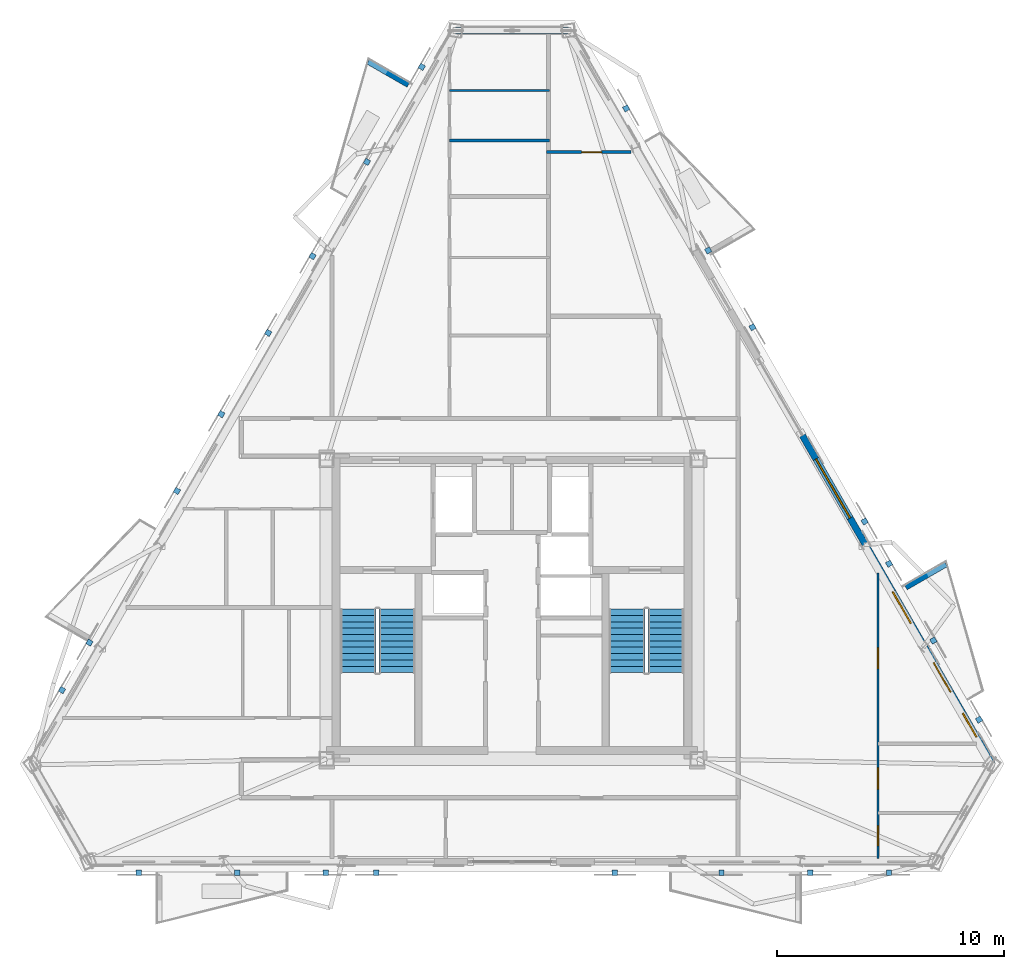
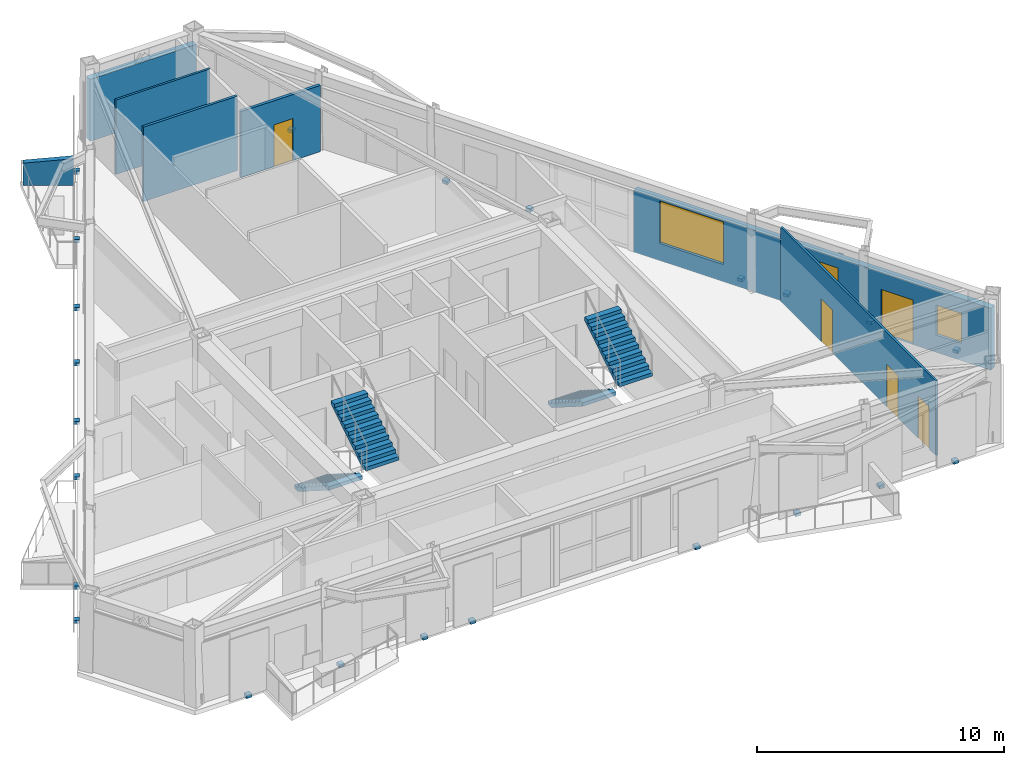
# One storey, part 11 of 15: 23 discrete accessories, 8 walls, 5 doors, 4 stair flights, 3 windows, 8 openings, 2 elements without a shape of their own.
"""IFC4 building model written with IfcOpenShell, lengths in metres."""

import ifcopenshell
import ifcopenshell.guid

model = None  # the IFC model being written
_history = None  # IfcOwnerHistory: only IFC2X3 demands one
_inside = {}  # id of a spatial element -> (the spatial element, [elements in it])
_under = {}  # id of a project, library or spatial element -> (it, [spatial elements below it])
_declared = {}  # id of a project -> (the project, [libraries it declares])
_typed = {}  # id of a type object -> (the type object, [elements of that type])
_made_of = {}  # id of a material, layer set ... -> (it, [elements and type objects made of it])


def new_model(schema):
    """Start an empty IFC model of exactly this schema.

    Asked for "IFC4X3", IfcOpenShell would pick the latest addendum, in which some entities
    have other attributes; the version numbers below select the first issue.
    IFC2X3 requires an IfcOwnerHistory on every rooted entity: one is made here for all.
    """
    global model, _history
    if schema == "IFC4X3":
        model = ifcopenshell.file(schema_version=(4, 3, 0, 0))
    else:
        model = ifcopenshell.file(schema=schema)
    _inside.clear()
    _under.clear()
    _declared.clear()
    _typed.clear()
    _made_of.clear()
    _history = None
    if model.schema == "IFC2X3":
        org = make("IfcOrganization", Name="unknown")
        user = make(
            "IfcPersonAndOrganization",
            ThePerson=make("IfcPerson", FamilyName="unknown"),
            TheOrganization=org,
        )
        app = make(
            "IfcApplication",
            ApplicationDeveloper=org,
            Version="unknown",
            ApplicationFullName="unknown",
            ApplicationIdentifier="unknown",
        )
        _history = make(
            "IfcOwnerHistory",
            OwningUser=user,
            OwningApplication=app,
            ChangeAction="ADDED",
            CreationDate=0,
        )
    return model


def make(cls, **values):
    """One entity of the class cls with the attributes given. An attribute that is None is left unset."""
    return model.create_entity(
        cls, **{name: value for name, value in values.items() if value is not None}
    )


def rooted(cls, **values):
    """An entity with a GlobalId (a new one), such as an element, a storey or a relation."""
    return make(cls, GlobalId=ifcopenshell.guid.new(), OwnerHistory=_history, **values)


def si_unit(unit_type, name, prefix=None):
    """IfcSIUnit, for example si_unit("LENGTHUNIT", "METRE", prefix="MILLI")."""
    return make("IfcSIUnit", UnitType=unit_type, Prefix=prefix, Name=name)


def assignment(units):
    """IfcUnitAssignment: the units of a project."""
    return None if units is None else make("IfcUnitAssignment", Units=units)


def point(xyz):
    """IfcCartesianPoint."""
    return None if xyz is None else make("IfcCartesianPoint", Coordinates=xyz)


def direction(xyz):
    """IfcDirection."""
    return None if xyz is None else make("IfcDirection", DirectionRatios=xyz)


def frame(location, z_axis=None, x_axis=None):
    """IfcAxis2Placement3D, a coordinate frame: its origin and axes. An axis left out is left unset."""
    return make(
        "IfcAxis2Placement3D",
        Location=point(location),
        Axis=direction(z_axis),
        RefDirection=direction(x_axis),
    )


def frame_2d(location, x_axis=None):
    """IfcAxis2Placement2D, a coordinate frame in the plane: its origin and x axis."""
    return make(
        "IfcAxis2Placement2D", Location=point(location), RefDirection=direction(x_axis)
    )


def origin():
    """The frame at (0, 0, 0) with its axes left unset."""
    return frame((0.0, 0.0, 0.0))


def origin_2d():
    """The frame at (0, 0) in the plane with its x axis left unset."""
    return frame_2d((0.0, 0.0))


def place(relative_to, where):
    """IfcLocalPlacement: puts the frame where relative to a parent placement (None: the world)."""
    return make(
        "IfcLocalPlacement", PlacementRelTo=relative_to, RelativePlacement=where
    )


def context(
    kind, dimensions, precision=None, world=None, true_north=None, identifier=None
):
    """IfcGeometricRepresentationContext, for example the 3D "Model" context."""
    return make(
        "IfcGeometricRepresentationContext",
        ContextIdentifier=identifier,
        ContextType=kind,
        CoordinateSpaceDimension=dimensions,
        Precision=precision,
        WorldCoordinateSystem=world,
        TrueNorth=true_north,
    )


def subcontext(parent, identifier, kind, view, scale=None):
    """IfcGeometricRepresentationSubContext, for example "Body" below "Model"."""
    return make(
        "IfcGeometricRepresentationSubContext",
        ContextIdentifier=identifier,
        ContextType=kind,
        ParentContext=parent,
        TargetScale=scale,
        TargetView=view,
    )


def project(units=None, contexts=None):
    """IfcProject with its units and contexts."""
    return rooted(
        "IfcProject",
        Name="project",
        RepresentationContexts=contexts,
        UnitsInContext=assignment(units),
    )


def spatial(cls, under=None, at=None, **own):
    """A site, building, storey or space (cls), placed at a placement, below another one or the project."""
    s = rooted(cls, ObjectPlacement=at, **own)
    if under is not None:
        _under.setdefault(under.id(), (under, []))[1].append(s)
    return s


def polyline(points):
    """IfcPolyline through the points."""
    return make("IfcPolyline", Points=[point(p) for p in points])


def profile(cls, at=None, kind="AREA", **sizes):
    """A parametric profile (cls). Its sizes go by their IFC names, for example OverallWidth=200.0."""
    return make(cls, ProfileType=kind, Position=at, **sizes)


def rectangle(**sizes):
    """IfcRectangleProfileDef."""
    return profile("IfcRectangleProfileDef", **sizes)


def outline(outer, holes=None, kind="AREA"):
    """IfcArbitraryClosedProfileDef: a profile drawn as a closed curve; with holes, ...WithVoids."""
    if holes is None:
        return make("IfcArbitraryClosedProfileDef", ProfileType=kind, OuterCurve=outer)
    return make(
        "IfcArbitraryProfileDefWithVoids",
        ProfileType=kind,
        OuterCurve=outer,
        InnerCurves=holes,
    )


def extrude(swept, where, along, depth):
    """IfcExtrudedAreaSolid: the profile swept, set in the frame where, extruded along a direction by depth."""
    return make(
        "IfcExtrudedAreaSolid",
        SweptArea=swept,
        Position=where,
        ExtrudedDirection=direction(along),
        Depth=depth,
    )


def shape(context_of_items, identifier, shape_type, items):
    """IfcShapeRepresentation: the items that make up one representation, for example the "Body"."""
    return make(
        "IfcShapeRepresentation",
        ContextOfItems=context_of_items,
        RepresentationIdentifier=identifier,
        RepresentationType=shape_type,
        Items=items,
    )


def material(Name=None, Category=None):
    """IfcMaterial."""
    return make("IfcMaterial", Name=Name, Category=Category)


def layer(
    of_material, thickness, ventilated=None, Name=None, Category=None, Priority=None
):
    """IfcMaterialLayer: one layer of a wall or slab, of a material (None: an air gap)."""
    return make(
        "IfcMaterialLayer",
        Material=of_material,
        LayerThickness=thickness,
        IsVentilated=ventilated,
        Name=Name,
        Category=Category,
        Priority=Priority,
    )


def layer_set(layers, Name=None):
    """IfcMaterialLayerSet."""
    return make("IfcMaterialLayerSet", MaterialLayers=layers, LayerSetName=Name)


def made_of(thing, what):
    """Note that an element or type object is made of a material, layer set ...; save() writes the relation."""
    if what is not None:
        _made_of.setdefault(what.id(), (what, []))[1].append(thing)
    return thing


def type_object(cls, material=None, **own):
    """A type object (cls), such as IfcWallType, which elements share."""
    return made_of(rooted(cls, **own), material)


def element(
    cls,
    number,
    at=None,
    inside=None,
    cuts=None,
    type_object=None,
    material=None,
    context=None,
    identifier="Body",
    shape_type=None,
    held_by="IfcProductDefinitionShape",
    body=None,
    shapes=None,
    **own,
):
    """One element of the class cls, such as IfcWall. Its Tag is "e" and its number.

    at: its placement. inside: the storey or other place that contains it. cuts: it is an
    opening in that element (IfcRelVoidsElement). A single representation is given by context,
    identifier, shape_type and body (its items); several are given by shapes. held_by: the class
    of the entity that holds the representations. save() writes the other relations.
    """
    e = rooted(cls, Tag="e%d" % number, ObjectPlacement=at, **own)
    if body is not None:
        shapes = [shape(context, identifier, shape_type, body)]
    if shapes is not None:
        e.Representation = make(held_by, Representations=shapes)
    if inside is not None:
        _inside.setdefault(inside.id(), (inside, []))[1].append(e)
    if cuts is not None:
        rooted(
            "IfcRelVoidsElement", RelatingBuildingElement=cuts, RelatedOpeningElement=e
        )
    if type_object is not None:
        _typed.setdefault(type_object.id(), (type_object, []))[1].append(e)
    return made_of(e, material)


def fill(opening, filler):
    """IfcRelFillsElement: the door or window that sits in an opening."""
    return rooted(
        "IfcRelFillsElement",
        RelatingOpeningElement=opening,
        RelatedBuildingElement=filler,
    )


def aggregate(whole, parts):
    """IfcRelAggregates: a whole, such as a stair, and the parts it consists of."""
    return rooted("IfcRelAggregates", RelatingObject=whole, RelatedObjects=parts)


def save(model, path):
    """Write the relations noted so far, then the file.

    IfcRelAggregates (storeys below a building ...), IfcRelContainedInSpatialStructure (elements
    in a storey), IfcRelDefinesByType, IfcRelAssociatesMaterial and IfcRelDeclares: one each for
    every whole, place, type object, material and project.
    """
    for whole, parts in _under.values():
        aggregate(whole, parts)
    for where, things in _inside.values():
        rooted(
            "IfcRelContainedInSpatialStructure",
            RelatedElements=things,
            RelatingStructure=where,
        )
    for kind, things in _typed.values():
        rooted("IfcRelDefinesByType", RelatedObjects=things, RelatingType=kind)
    for what, things in _made_of.values():
        rooted("IfcRelAssociatesMaterial", RelatedObjects=things, RelatingMaterial=what)
    for by, libraries in _declared.values():
        rooted("IfcRelDeclares", RelatingContext=by, RelatedDefinitions=libraries)
    model.write(path)


model = new_model("IFC4")

# Units and contexts
model_context = context("Model", 3, precision=1e-05, world=origin(), true_north=direction((0.0, 1.0)))
body_context = subcontext(model_context, "Body", "Model", "MODEL_VIEW")
ifc_project = project(units=[si_unit("LENGTHUNIT", "METRE"), si_unit("AREAUNIT", "SQUARE_METRE"), si_unit("VOLUMEUNIT", "CUBIC_METRE"), si_unit("PLANEANGLEUNIT", "RADIAN"), si_unit("MASSUNIT", "GRAM", prefix="KILO")], contexts=[model_context])

# Site, building, storey
site_placement = place(None, origin())
site = spatial("IfcSite", under=ifc_project, at=site_placement, CompositionType="ELEMENT")
building_placement = place(site_placement, origin())
building = spatial("IfcBuilding", under=site, at=building_placement, Name="Oramaril Tower", CompositionType="ELEMENT")
storey_placement = place(building_placement, frame((0.0, 0.0, 265.5)))
storey = spatial("IfcBuildingStorey", under=building, at=storey_placement, Name="L70", CompositionType="ELEMENT", Elevation=265.5)

# Wall, openings, door, windows
ifc_material_1 = material(Name="Warm Cream Limestone", Category="masonry")
ifc_layer_1 = layer(ifc_material_1, 0.2900390625)
ifc_layer_set_1 = layer_set([ifc_layer_1], Name="WT-EXT29")
wall_type_1 = type_object("IfcWallType", Name="WT-EXT29", PredefinedType="SOLIDWALL", material=ifc_layer_set_1)
wall_1_placement = place(storey_placement, frame((58.61181640625, 10.78369140625, 0.0), z_axis=(0.0, 0.0, 1.0), x_axis=(-0.499994109833, 0.866028804447, 0.0)))
wall_1 = element("IfcWall", 1, at=wall_1_placement, inside=storey, type_object=wall_type_1, Name="L70 Tower Limestone Facade Wall 4L", PredefinedType="SOLIDWALL", context=body_context, shape_type="SweptSolid", body=[
    extrude(rectangle(XDim=16.674072265625, YDim=0.2900390625, at=frame_2d((8.3369140625, 0.0))), origin(), (0.0, 0.0, 1.0), 3.05810546875),
])
opening_1_placement = place(wall_1_placement, frame((3.639404296875, 0.0, 0.0)))
opening_1 = element("IfcOpeningElement", 2, at=opening_1_placement, cuts=wall_1, Name="Opening D-L70-BAL-NE1", PredefinedType="OPENING", context=body_context, shape_type="SweptSolid", body=[
    extrude(rectangle(XDim=1.5, YDim=2.199951171875, at=frame_2d((0.75, 1.10009765625))), frame((0.0, 0.14501953125, 0.0), z_axis=(0.0, -1.0, 0.0), x_axis=(1.0, 0.0, 0.0)), (0.0, 0.0, 1.0), 0.2900390625),
])
opening_2_placement = place(wall_1_placement, frame((7.131591796875, 0.0, 0.85009765625)))
opening_2 = element("IfcOpeningElement", 3, at=opening_2_placement, cuts=wall_1, Name="Opening WN-07", PredefinedType="OPENING", context=body_context, shape_type="SweptSolid", body=[
    extrude(rectangle(XDim=1.60009765625, YDim=1.699951171875, at=frame_2d((0.800048828125, 0.85009765625))), frame((0.0, 0.14501953125, 0.0), z_axis=(0.0, -1.0, 0.0), x_axis=(1.0, 0.0, 0.0)), (0.0, 0.0, 1.0), 0.2900390625),
])
opening_3_placement = place(wall_1_placement, frame((12.478759765625, 0.0, 0.85009765625)))
opening_3 = element("IfcOpeningElement", 4, at=opening_3_placement, cuts=wall_1, Name="Opening WN-10", PredefinedType="OPENING", context=body_context, shape_type="SweptSolid", body=[
    extrude(rectangle(XDim=3.0, YDim=2.097900390625, at=frame_2d((1.5, 1.048828125))), frame((0.0, 0.14501953125, 0.0), z_axis=(0.0, -1.0, 0.0), x_axis=(1.0, 0.0, 0.0)), (0.0, 0.0, 1.0), 0.2900390625),
])
opening_4_placement = place(wall_1_placement, frame((1.36181640625, 0.0, 0.85009765625)))
opening_4 = element("IfcOpeningElement", 5, at=opening_4_placement, cuts=wall_1, Name="Opening WN-09", PredefinedType="OPENING", context=body_context, shape_type="SweptSolid", body=[
    extrude(rectangle(XDim=1.199951171875, YDim=1.47998046875, at=frame_2d((0.60009765625, 0.739990234375))), frame((0.0, 0.14501953125, 0.0), z_axis=(0.0, -1.0, 0.0), x_axis=(1.0, 0.0, 0.0)), (0.0, 0.0, 1.0), 0.2900390625),
])
ifc_material_2 = material(Name="Anodised Aluminium 6063-T6", Category="aluminium")
door_type_1 = type_object("IfcDoorType", Name="DT-BAL", OperationType="NOTDEFINED", PredefinedType="DOOR", material=ifc_material_2)
door_1_placement = place(opening_1_placement, origin())
door_1 = element("IfcDoor", 6, at=door_1_placement, inside=storey, type_object=door_type_1, Name="L70 Balcony Glazed Door L70-BAL-NE1", OperationType="SINGLE_SWING_LEFT", OverallHeight=2.199951171875, OverallWidth=1.5, PredefinedType="DOOR", context=body_context, shape_type="SweptSolid", body=[
    extrude(rectangle(XDim=1.5, YDim=2.199951171875, at=frame_2d((0.75, 1.10009765625))), frame((0.0, 0.02490234375, 0.0), z_axis=(0.0, -1.0, 0.0), x_axis=(1.0, 0.0, 0.0)), (0.0, 0.0, 1.0), 0.050048828125),
])
fill(opening_1, door_1)
ifc_material_3 = material(Name="Coastal Low-E Insulated Glass", Category="glass")
window_type_1 = type_object("IfcWindowType", Name="WNT-07", PartitioningType="SINGLE_PANEL", PredefinedType="WINDOW", material=ifc_material_3)
window_1_placement = place(opening_2_placement, origin())
window_1 = element("IfcWindow", 7, at=window_1_placement, inside=storey, type_object=window_type_1, Name="L70 Chicago Bay Window WN-07", OverallHeight=1.699951171875, OverallWidth=1.60009765625, PartitioningType="SINGLE_PANEL", PredefinedType="WINDOW", context=body_context, shape_type="SweptSolid", body=[
    extrude(rectangle(XDim=1.60009765625, YDim=1.699951171875, at=frame_2d((0.800048828125, 0.85009765625))), frame((0.0, 0.030029296875, 0.0), z_axis=(0.0, -1.0, 0.0), x_axis=(1.0, 0.0, 0.0)), (0.0, 0.0, 1.0), 0.06005859375),
])
fill(opening_2, window_1)
ifc_material_4 = material(Name="Coastal Low-E Insulated Glass", Category="glass")
window_type_2 = type_object("IfcWindowType", Name="WNT-09", PartitioningType="SINGLE_PANEL", PredefinedType="WINDOW", material=ifc_material_4)
window_2_placement = place(opening_4_placement, origin())
window_2 = element("IfcWindow", 8, at=window_2_placement, inside=storey, type_object=window_type_2, Name="L70 Chicago Bay Window WN-09", OverallHeight=1.47998046875, OverallWidth=1.199951171875, PartitioningType="SINGLE_PANEL", PredefinedType="WINDOW", context=body_context, shape_type="SweptSolid", body=[
    extrude(rectangle(XDim=1.199951171875, YDim=1.47998046875, at=frame_2d((0.60009765625, 0.739990234375))), frame((0.0, 0.030029296875, 0.0), z_axis=(0.0, -1.0, 0.0), x_axis=(1.0, 0.0, 0.0)), (0.0, 0.0, 1.0), 0.06005859375),
])
fill(opening_4, window_2)
ifc_material_5 = material(Name="Coastal Low-E Insulated Glass", Category="glass")
window_type_3 = type_object("IfcWindowType", Name="WNT-10", PartitioningType="SINGLE_PANEL", PredefinedType="WINDOW", material=ifc_material_5)
window_3_placement = place(opening_3_placement, origin())
window_3 = element("IfcWindow", 9, at=window_3_placement, inside=storey, type_object=window_type_3, Name="L70 Chicago Bay Window WN-10", OverallHeight=2.097900390625, OverallWidth=3.0, PartitioningType="SINGLE_PANEL", PredefinedType="WINDOW", context=body_context, shape_type="SweptSolid", body=[
    extrude(rectangle(XDim=3.0, YDim=2.097900390625, at=frame_2d((1.5, 1.048828125))), frame((0.0, 0.030029296875, 0.0), z_axis=(0.0, -1.0, 0.0), x_axis=(1.0, 0.0, 0.0)), (0.0, 0.0, 1.0), 0.06005859375),
])
fill(opening_3, window_3)

# Walls
wall_2_placement = place(storey_placement, frame((39.98779296875, 43.04150390625, 0.0), z_axis=(0.0, 0.0, 1.0), x_axis=(-1.0, 0.0, 0.0)))
element("IfcWall", 10, at=wall_2_placement, inside=storey, type_object=wall_type_1, Name="L70 Tower Limestone Facade Wall 5M", PredefinedType="SOLIDWALL", context=body_context, shape_type="SweptSolid", body=[
    extrude(rectangle(XDim=4.9755859375, YDim=0.2900390625, at=frame_2d((2.48779296875, 0.0))), origin(), (0.0, 0.0, 1.0), 3.05810546875),
])
ifc_material_6 = material(Name="Concrete C40/50", Category="concrete")
ifc_layer_2 = layer(ifc_material_6, 0.22998046875)
ifc_layer_set_2 = layer_set([ifc_layer_2], Name="WT-PRP23")
wall_type_2 = type_object("IfcWallType", Name="WT-PRP23", PredefinedType="PARAPET", material=ifc_layer_set_2)
for number, where, z_axis, x_axis, name in (
    (11, (54.827392578125, 18.5341796875, 0.0), (0.0, 0.0, 1.0), (0.866042246008, 0.499970827278, 0.0), "L70 Trapezoidal Balcony Frame Cheek L70-BAL-NE1-R"),
    (12, (32.937255859375, 40.643310546875, 0.0), (0.0, 0.0, 1.0), (-0.866042246008, 0.499970827278, 0.0), "L70 Trapezoidal Balcony Frame Cheek L70-BAL-NW1-L"),
):
    element("IfcWall", number, at=place(storey_placement, frame(where, z_axis=z_axis, x_axis=x_axis)), inside=storey, type_object=wall_type_2, Name=name, PredefinedType="PARAPET", context=body_context, shape_type="SweptSolid", body=[
        extrude(outline(polyline([(0.0, 0.0), (2.0419921875, 0.0), (2.0419921875, 1.10009765625), (0.0, 1.320068359375), (0.0, 0.0)])), frame((0.0, 0.114990234375, 0.0), z_axis=(0.0, -1.0, 0.0), x_axis=(1.0, 0.0, 0.0)), (0.0, 0.0, 1.0), 0.22998046875),
    ])
ifc_material_7 = material(Name="Acoustic Gypsum Board Partition")
ifc_layer_3 = layer(ifc_material_7, 0.10009765625)
ifc_layer_set_3 = layer_set([ifc_layer_3], Name="WT-PT10")
wall_type_3 = type_object("IfcWallType", Name="WT-PT10", PredefinedType="PARTITIONING", material=ifc_layer_set_3)
wall_3_placement = place(storey_placement, frame((34.75, 40.39990234375, 0.0), z_axis=(0.0, 0.0, 1.0), x_axis=(1.0, 0.0, 0.0)))
element("IfcWall", 13, at=wall_3_placement, inside=storey, type_object=wall_type_3, Name="L70 Interior Partition PT-10", PredefinedType="PARTITIONING", context=body_context, shape_type="SweptSolid", body=[
    extrude(rectangle(XDim=4.39990234375, YDim=0.10009765625, at=frame_2d((2.199951171875, 0.0))), origin(), (0.0, 0.0, 1.0), 3.679931640625),
])

# Wall, openings, doors
wall_4_placement = place(storey_placement, frame((53.60009765625, 6.623779296875, 0.0), z_axis=(0.0, 0.0, 1.0), x_axis=(0.0, 1.0, 0.0)))
wall_4 = element("IfcWall", 14, at=wall_4_placement, inside=storey, type_object=wall_type_3, Name="L70 Interior Partition PT-10", PredefinedType="PARTITIONING", context=body_context, shape_type="SweptSolid", body=[
    extrude(rectangle(XDim=12.54248046875, YDim=0.10009765625, at=frame_2d((6.271240234375, 0.0))), origin(), (0.0, 0.0, 1.0), 3.679931640625),
])
opening_5_placement = place(wall_4_placement, frame((0.54248046875, 0.0, 0.0)))
opening_5 = element("IfcOpeningElement", 15, at=opening_5_placement, cuts=wall_4, Name="Opening D-L70-22", PredefinedType="OPENING", context=body_context, shape_type="SweptSolid", body=[
    extrude(rectangle(XDim=0.8798828125, YDim=2.080078125, at=frame_2d((0.43994140625, 1.0400390625))), frame((0.0, 0.050048828125, 0.0), z_axis=(0.0, -1.0, 0.0), x_axis=(1.0, 0.0, 0.0)), (0.0, 0.0, 1.0), 0.10009765625),
])
opening_6_placement = place(wall_4_placement, frame((3.0439453125, 0.0, 0.0)))
opening_6 = element("IfcOpeningElement", 16, at=opening_6_placement, cuts=wall_4, Name="Opening D-L70-23", PredefinedType="OPENING", context=body_context, shape_type="SweptSolid", body=[
    extrude(rectangle(XDim=0.949951171875, YDim=2.10009765625, at=frame_2d((0.47509765625, 1.050048828125))), frame((0.0, 0.050048828125, 0.0), z_axis=(0.0, -1.0, 0.0), x_axis=(1.0, 0.0, 0.0)), (0.0, 0.0, 1.0), 0.10009765625),
])
opening_7_placement = place(wall_4_placement, frame((8.343994140625, 0.0, 0.0)))
opening_7 = element("IfcOpeningElement", 17, at=opening_7_placement, cuts=wall_4, Name="Opening D-L70-24", PredefinedType="OPENING", context=body_context, shape_type="SweptSolid", body=[
    extrude(rectangle(XDim=0.919921875, YDim=2.1201171875, at=frame_2d((0.4599609375, 1.06005859375))), frame((0.0, 0.050048828125, 0.0), z_axis=(0.0, -1.0, 0.0), x_axis=(1.0, 0.0, 0.0)), (0.0, 0.0, 1.0), 0.10009765625),
])
ifc_material_8 = material(Name="FSC Brazilian Freijo Hardwood", Category="wood")
door_type_2 = type_object("IfcDoorType", Name="DT-BATH", OperationType="NOTDEFINED", PredefinedType="DOOR", material=ifc_material_8)
door_2_placement = place(opening_5_placement, origin())
door_2 = element("IfcDoor", 18, at=door_2_placement, inside=storey, type_object=door_type_2, Name="L70 Flat L70-U4 Bathroom Door D-L70-22", OperationType="SINGLE_SWING_LEFT", OverallHeight=2.080078125, OverallWidth=0.8798828125, PredefinedType="DOOR", context=body_context, shape_type="SweptSolid", body=[
    extrude(rectangle(XDim=0.8798828125, YDim=2.080078125, at=frame_2d((0.43994140625, 1.0400390625))), frame((0.0, 0.02490234375, 0.0), z_axis=(0.0, -1.0, 0.0), x_axis=(1.0, 0.0, 0.0)), (0.0, 0.0, 1.0), 0.050048828125),
])
fill(opening_5, door_2)
ifc_material_9 = material(Name="FSC Brazilian Freijo Hardwood", Category="wood")
door_type_3 = type_object("IfcDoorType", Name="DT-BED", OperationType="NOTDEFINED", PredefinedType="DOOR", material=ifc_material_9)
door_3_placement = place(opening_7_placement, origin())
door_3 = element("IfcDoor", 19, at=door_3_placement, inside=storey, type_object=door_type_3, Name="L70 Flat L70-U4 Master Bedroom Door D-L70-24", OperationType="SINGLE_SWING_LEFT", OverallHeight=2.1201171875, OverallWidth=0.919921875, PredefinedType="DOOR", context=body_context, shape_type="SweptSolid", body=[
    extrude(rectangle(XDim=0.919921875, YDim=2.1201171875, at=frame_2d((0.4599609375, 1.06005859375))), frame((0.0, 0.02490234375, 0.0), z_axis=(0.0, -1.0, 0.0), x_axis=(1.0, 0.0, 0.0)), (0.0, 0.0, 1.0), 0.050048828125),
])
fill(opening_7, door_3)
ifc_material_10 = material(Name="FSC Brazilian Freijo Hardwood", Category="wood")
door_type_4 = type_object("IfcDoorType", Name="DT-STDY", OperationType="NOTDEFINED", PredefinedType="DOOR", material=ifc_material_10)
door_4_placement = place(opening_6_placement, origin())
door_4 = element("IfcDoor", 20, at=door_4_placement, inside=storey, type_object=door_type_4, Name="L70 Flat L70-U4 Kitchen Door D-L70-23", OperationType="SINGLE_SWING_RIGHT", OverallHeight=2.10009765625, OverallWidth=0.949951171875, PredefinedType="DOOR", context=body_context, shape_type="SweptSolid", body=[
    extrude(rectangle(XDim=0.949951171875, YDim=2.10009765625, at=frame_2d((0.47509765625, 1.050048828125))), frame((0.0, 0.02490234375, 0.0), z_axis=(0.0, -1.0, 0.0), x_axis=(1.0, 0.0, 0.0)), (0.0, 0.0, 1.0), 0.050048828125),
])
fill(opening_6, door_4)

# Wall
ifc_material_11 = material(Name="Acoustic Gypsum Board Partition")
ifc_layer_4 = layer(ifc_material_11, 0.1201171875)
ifc_layer_set_4 = layer_set([ifc_layer_4], Name="WT-PT12")
wall_type_4 = type_object("IfcWallType", Name="WT-PT12", PredefinedType="PARTITIONING", material=ifc_layer_set_4)
wall_5_placement = place(storey_placement, frame((34.75, 38.199951171875, 0.0), z_axis=(0.0, 0.0, 1.0), x_axis=(1.0, 0.0, 0.0)))
element("IfcWall", 21, at=wall_5_placement, inside=storey, type_object=wall_type_4, Name="L70 Interior Partition PT-12", PredefinedType="PARTITIONING", context=body_context, shape_type="SweptSolid", body=[
    extrude(rectangle(XDim=4.39990234375, YDim=0.1201171875, at=frame_2d((2.199951171875, 0.0))), origin(), (0.0, 0.0, 1.0), 3.679931640625),
])

# Wall, opening, door
ifc_material_12 = material(Name="Acoustic Gypsum Board Partition")
ifc_layer_5 = layer(ifc_material_12, 0.139892578125)
ifc_layer_set_5 = layer_set([ifc_layer_5], Name="WT-PT14")
wall_type_5 = type_object("IfcWallType", Name="WT-PT14", PredefinedType="PARTITIONING", material=ifc_layer_set_5)
wall_6_placement = place(storey_placement, frame((39.01806640625, 37.68994140625, 0.0), z_axis=(0.0, 0.0, 1.0), x_axis=(1.0, 0.0, 0.0)))
wall_6 = element("IfcWall", 22, at=wall_6_placement, inside=storey, type_object=wall_type_5, Name="L70 Interior Partition PT-14", PredefinedType="PARTITIONING", context=body_context, shape_type="SweptSolid", body=[
    extrude(rectangle(XDim=3.718017578125, YDim=0.139892578125, at=frame_2d((1.85888671875, 0.0))), origin(), (0.0, 0.0, 1.0), 3.26611328125),
])
opening_8_placement = place(wall_6_placement, frame((1.544189453125, 0.0, 0.0)))
opening_8 = element("IfcOpeningElement", 23, at=opening_8_placement, cuts=wall_6, Name="Opening D-L70-13", PredefinedType="OPENING", context=body_context, shape_type="SweptSolid", body=[
    extrude(rectangle(XDim=0.8798828125, YDim=2.080078125, at=frame_2d((0.43994140625, 1.0400390625))), frame((0.0, 0.06982421875, 0.0), z_axis=(0.0, -1.0, 0.0), x_axis=(1.0, 0.0, 0.0)), (0.0, 0.0, 1.0), 0.139892578125),
])
door_5_placement = place(opening_8_placement, origin())
door_5 = element("IfcDoor", 24, at=door_5_placement, inside=storey, type_object=door_type_2, Name="L70 Flat L70-U6 Bathroom Door D-L70-13", OperationType="SINGLE_SWING_RIGHT", OverallHeight=2.080078125, OverallWidth=0.8798828125, PredefinedType="DOOR", context=body_context, shape_type="SweptSolid", body=[
    extrude(rectangle(XDim=0.8798828125, YDim=2.080078125, at=frame_2d((0.43994140625, 1.0400390625))), frame((0.0, 0.02490234375, 0.0), z_axis=(0.0, -1.0, 0.0), x_axis=(1.0, 0.0, 0.0)), (0.0, 0.0, 1.0), 0.050048828125),
])
fill(opening_8, door_5)

# Stair, stair flights
ifc_material_13 = material(Name="Concrete C50/60", Category="concrete")
stair_type = type_object("IfcStairType", Name="STT-DG-3900", PredefinedType="HALF_TURN_STAIR", material=ifc_material_13)
stair_1_placement = place(storey_placement, origin())
stair_1 = element("IfcStair", 25, at=stair_1_placement, inside=storey, type_object=stair_type, Name="L70 Protected PFP Exit Stair ST-1", PredefinedType="HALF_TURN_STAIR")
ifc_material_14 = material(Name="Concrete C50/60", Category="concrete")
stair_flight_type = type_object("IfcStairFlightType", Name="SFT-DG-3900", PredefinedType="STRAIGHT", material=ifc_material_14)
stair_flight_1_placement = place(storey_placement, frame((30.72998046875, 17.590087890625, 0.0), z_axis=(0.0, 0.0, 1.0), x_axis=(0.0, -1.0, 0.0)))
stair_flight_1 = element("IfcStairFlight", 26, at=stair_flight_1_placement, type_object=stair_flight_type, Name="ST-1 flight 1", NumberOfRisers=11, NumberOfTreads=10, PredefinedType="STRAIGHT", RiserHeight=0.177272727, TreadLength=0.28, context=body_context, shape_type="SweptSolid", body=[
    extrude(outline(polyline([(0.0, 0.0), (0.0, 0.17724609375), (0.280029296875, 0.17724609375), (0.280029296875, 0.3544921875), (0.56005859375, 0.3544921875), (0.56005859375, 0.53173828125), (0.840087890625, 0.53173828125), (0.840087890625, 0.708984375), (1.1201171875, 0.708984375), (1.1201171875, 0.886474609375), (1.39990234375, 0.886474609375), (1.39990234375, 1.063720703125), (1.679931640625, 1.063720703125), (1.679931640625, 1.240966796875), (1.9599609375, 1.240966796875), (1.9599609375, 1.418212890625), (2.239990234375, 1.418212890625), (2.239990234375, 1.595458984375), (2.52001953125, 1.595458984375), (2.52001953125, 1.772705078125), (2.800048828125, 1.772705078125), (2.800048828125, 1.949951171875), (2.800048828125, 1.59521484375), (0.2802734375, 0.0), (0.0, 0.0)])), frame((0.0, 0.780029296875, 0.0), z_axis=(0.0, -1.0, 0.0), x_axis=(1.0, 0.0, 0.0)), (0.0, 0.0, 1.0), 1.56005859375),
])
stair_flight_2_placement = place(storey_placement, frame((32.43994140625, 14.7900390625, 1.949951171875), z_axis=(0.0, 0.0, 1.0), x_axis=(0.0, 1.0, 0.0)))
stair_flight_2 = element("IfcStairFlight", 27, at=stair_flight_2_placement, type_object=stair_flight_type, Name="ST-1 flight 2", NumberOfRisers=11, NumberOfTreads=10, PredefinedType="STRAIGHT", RiserHeight=0.177272727, TreadLength=0.28, context=body_context, shape_type="SweptSolid", body=[
    extrude(outline(polyline([(0.0, 0.0), (0.0, 0.17724609375), (0.280029296875, 0.17724609375), (0.280029296875, 0.3544921875), (0.56005859375, 0.3544921875), (0.56005859375, 0.53173828125), (0.840087890625, 0.53173828125), (0.840087890625, 0.708984375), (1.1201171875, 0.708984375), (1.1201171875, 0.886474609375), (1.39990234375, 0.886474609375), (1.39990234375, 1.063720703125), (1.679931640625, 1.063720703125), (1.679931640625, 1.240966796875), (1.9599609375, 1.240966796875), (1.9599609375, 1.418212890625), (2.239990234375, 1.418212890625), (2.239990234375, 1.595458984375), (2.52001953125, 1.595458984375), (2.52001953125, 1.772705078125), (2.800048828125, 1.772705078125), (2.800048828125, 1.949951171875), (2.800048828125, 1.59521484375), (0.2802734375, 0.0), (0.0, 0.0)])), frame((0.0, 0.780029296875, 0.0), z_axis=(0.0, -1.0, 0.0), x_axis=(1.0, 0.0, 0.0)), (0.0, 0.0, 1.0), 1.56005859375),
])
aggregate(stair_1, [stair_flight_1, stair_flight_2])

stair_2_placement = place(storey_placement, origin())
stair_2 = element("IfcStair", 28, at=stair_2_placement, inside=storey, type_object=stair_type, Name="L70 Protected PFP Exit Stair ST-2", PredefinedType="HALF_TURN_STAIR")
stair_flight_3_placement = place(storey_placement, frame((42.56005859375, 17.590087890625, 0.0), z_axis=(0.0, 0.0, 1.0), x_axis=(0.0, -1.0, 0.0)))
stair_flight_3 = element("IfcStairFlight", 29, at=stair_flight_3_placement, type_object=stair_flight_type, Name="ST-2 flight 1", NumberOfRisers=11, NumberOfTreads=10, PredefinedType="STRAIGHT", RiserHeight=0.177272727, TreadLength=0.28, context=body_context, shape_type="SweptSolid", body=[
    extrude(outline(polyline([(0.0, 0.0), (0.0, 0.17724609375), (0.280029296875, 0.17724609375), (0.280029296875, 0.3544921875), (0.56005859375, 0.3544921875), (0.56005859375, 0.53173828125), (0.840087890625, 0.53173828125), (0.840087890625, 0.708984375), (1.1201171875, 0.708984375), (1.1201171875, 0.886474609375), (1.39990234375, 0.886474609375), (1.39990234375, 1.063720703125), (1.679931640625, 1.063720703125), (1.679931640625, 1.240966796875), (1.9599609375, 1.240966796875), (1.9599609375, 1.418212890625), (2.239990234375, 1.418212890625), (2.239990234375, 1.595458984375), (2.52001953125, 1.595458984375), (2.52001953125, 1.772705078125), (2.800048828125, 1.772705078125), (2.800048828125, 1.949951171875), (2.800048828125, 1.59521484375), (0.2802734375, 0.0), (0.0, 0.0)])), frame((0.0, 0.780029296875, 0.0), z_axis=(0.0, -1.0, 0.0), x_axis=(1.0, 0.0, 0.0)), (0.0, 0.0, 1.0), 1.56005859375),
])
stair_flight_4_placement = place(storey_placement, frame((44.27001953125, 14.7900390625, 1.949951171875), z_axis=(0.0, 0.0, 1.0), x_axis=(0.0, 1.0, 0.0)))
stair_flight_4 = element("IfcStairFlight", 30, at=stair_flight_4_placement, type_object=stair_flight_type, Name="ST-2 flight 2", NumberOfRisers=11, NumberOfTreads=10, PredefinedType="STRAIGHT", RiserHeight=0.177272727, TreadLength=0.28, context=body_context, shape_type="SweptSolid", body=[
    extrude(outline(polyline([(0.0, 0.0), (0.0, 0.17724609375), (0.280029296875, 0.17724609375), (0.280029296875, 0.3544921875), (0.56005859375, 0.3544921875), (0.56005859375, 0.53173828125), (0.840087890625, 0.53173828125), (0.840087890625, 0.708984375), (1.1201171875, 0.708984375), (1.1201171875, 0.886474609375), (1.39990234375, 0.886474609375), (1.39990234375, 1.063720703125), (1.679931640625, 1.063720703125), (1.679931640625, 1.240966796875), (1.9599609375, 1.240966796875), (1.9599609375, 1.418212890625), (2.239990234375, 1.418212890625), (2.239990234375, 1.595458984375), (2.52001953125, 1.595458984375), (2.52001953125, 1.772705078125), (2.800048828125, 1.772705078125), (2.800048828125, 1.949951171875), (2.800048828125, 1.59521484375), (0.2802734375, 0.0), (0.0, 0.0)])), frame((0.0, 0.780029296875, 0.0), z_axis=(0.0, -1.0, 0.0), x_axis=(1.0, 0.0, 0.0)), (0.0, 0.0, 1.0), 1.56005859375),
])
aggregate(stair_2, [stair_flight_3, stair_flight_4])

# Discrete accessories
for number, where, z_axis, x_axis, name in (
    (31, (31.531982421875, 5.994873046875, -0.14013671875), (0.0, 0.0, 1.0), (1.0, 0.0, 0.0), "L70 Solar Screen Slab Bracket"),
    (32, (21.07666015625, 5.994873046875, -0.14013671875), (0.0, 0.0, 1.0), (1.0, 0.0, 0.0), "L70 Solar Screen Slab Bracket"),
    (33, (25.40478515625, 5.994873046875, -0.14013671875), (0.0, 0.0, 1.0), (1.0, 0.0, 0.0), "L70 Solar Screen Slab Bracket"),
    (34, (29.3046875, 5.994873046875, -0.14013671875), (0.0, 0.0, 1.0), (1.0, 0.0, 0.0), "L70 Solar Screen Slab Bracket"),
    (35, (42.025390625, 5.994873046875, -0.14013671875), (0.0, 0.0, 1.0), (1.0, 0.0, 0.0), "L70 Solar Screen Slab Bracket"),
    (36, (46.716796875, 5.994873046875, -0.14013671875), (0.0, 0.0, 1.0), (1.0, 0.0, 0.0), "L70 Solar Screen Slab Bracket"),
    (37, (50.61669921875, 5.994873046875, -0.14013671875), (0.0, 0.0, 1.0), (1.0, 0.0, 0.0), "L70 Solar Screen Slab Bracket"),
    (38, (54.083984375, 5.994873046875, -0.14013671875), (0.0, 0.0, 1.0), (1.0, 0.0, 0.0), "L70 Solar Screen Slab Bracket"),
    (39, (56.036865234375, 16.203857421875, -0.14013671875), (0.0, 0.0, 1.0), (-0.499996976998, 0.866027149108, 0.0), "L70 Solar Screen Slab Bracket"),
    (40, (54.0869140625, 19.581298828125, -0.14013671875), (0.0, 0.0, 1.0), (-0.499996976998, 0.866027149108, 0.0), "L70 Solar Screen Slab Bracket"),
    (41, (53.01318359375, 21.440673828125, -0.14013671875), (0.0, 0.0, 1.0), (-0.499996976998, 0.866027149108, 0.0), "L70 Solar Screen Slab Bracket"),
    (42, (58.046630859375, 12.72265625, -0.14013671875), (0.0, 0.0, 1.0), (-0.499996976998, 0.866027149108, 0.0), "L70 Solar Screen Slab Bracket"),
    (43, (48.079345703125, 29.986328125, -0.14013671875), (0.0, 0.0, 1.0), (-0.5, 0.866025403784, 0.0), "L70 Solar Screen Slab Bracket"),
    (44, (46.12939453125, 33.364013671875, -0.14013671875), (0.0, 0.0, 1.0), (-0.5, 0.866025403784, 0.0), "L70 Solar Screen Slab Bracket"),
    (45, (42.521484375, 39.61279296875, -0.14013671875), (0.0, 0.0, 1.0), (-0.5, 0.866025403784, 0.0), "L70 Solar Screen Slab Bracket"),
    (46, (17.704345703125, 14.0234375, -0.14013671875), (0.0, 0.0, 1.0), (-0.4999984885, -0.866026276448, 0.0), "L70 Solar Screen Slab Bracket"),
    (47, (18.910888671875, 16.113037109375, -0.14013671875), (0.0, 0.0, 1.0), (-0.4999984885, -0.866026276448, 0.0), "L70 Solar Screen Slab Bracket"),
    (48, (28.72607421875, 33.113525390625, -0.14013671875), (0.0, 0.0, 1.0), (-0.4999984885, -0.866026276448, 0.0), "L70 Solar Screen Slab Bracket"),
    (49, (26.776123046875, 29.736083984375, -0.14013671875), (0.0, 0.0, 1.0), (-0.4999984885, -0.866026276448, 0.0), "L70 Solar Screen Slab Bracket"),
    (50, (24.712158203125, 26.1611328125, -0.14013671875), (0.0, 0.0, 1.0), (-0.4999984885, -0.866026276448, 0.0), "L70 Solar Screen Slab Bracket"),
    (51, (22.76220703125, 22.78369140625, -0.14013671875), (0.0, 0.0, 1.0), (-0.4999984885, -0.866026276448, 0.0), "L70 Solar Screen Slab Bracket"),
    (52, (33.5322265625, 41.43798828125, -0.14013671875), (0.0, 0.0, 1.0), (-0.4999984885, -0.866026276448, 0.0), "L70 Solar Screen Slab Bracket"),
    (53, (31.11962890625, 37.259521484375, -0.14013671875), (0.0, 0.0, 1.0), (-0.4999984885, -0.866026276448, 0.0), "L70 Solar Screen Slab Bracket"),
):
    element("IfcDiscreteAccessory", number, at=place(storey_placement, frame(where, z_axis=z_axis, x_axis=x_axis)), inside=storey, Name=name, PredefinedType="BRACKET", context=body_context, shape_type="SweptSolid", body=[
        extrude(rectangle(XDim=0.239990234375, YDim=0.239990234375, at=origin_2d()), origin(), (0.0, 0.0, 1.0), 0.159912109375),
    ])

save(model, "model.ifc")
